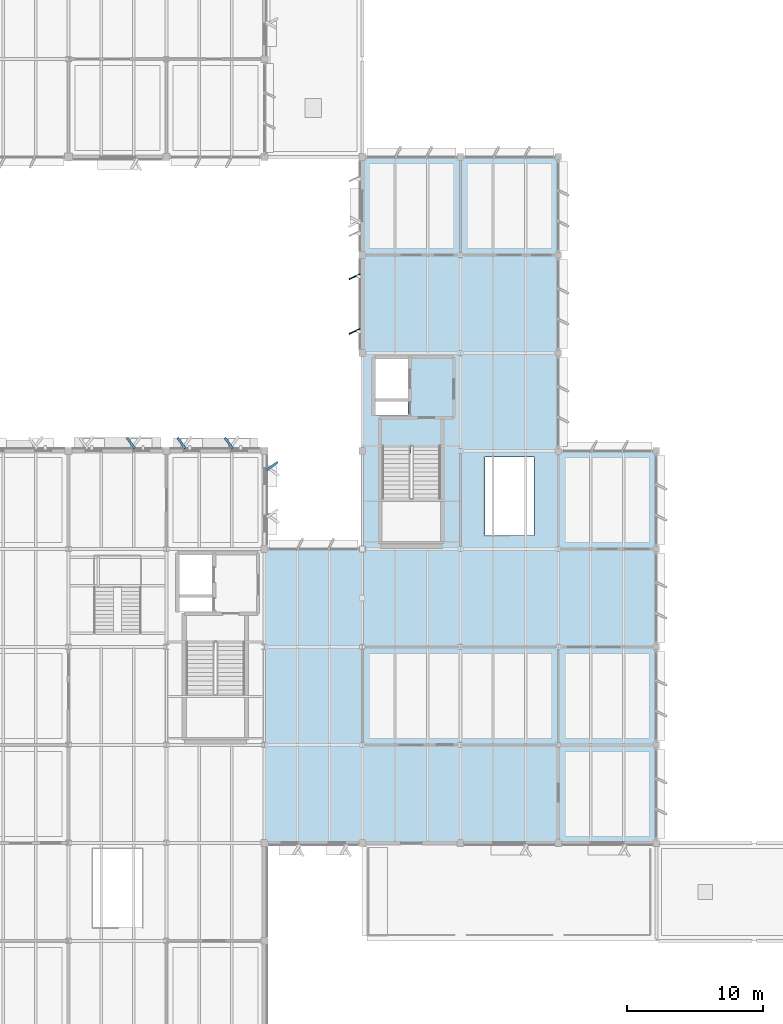
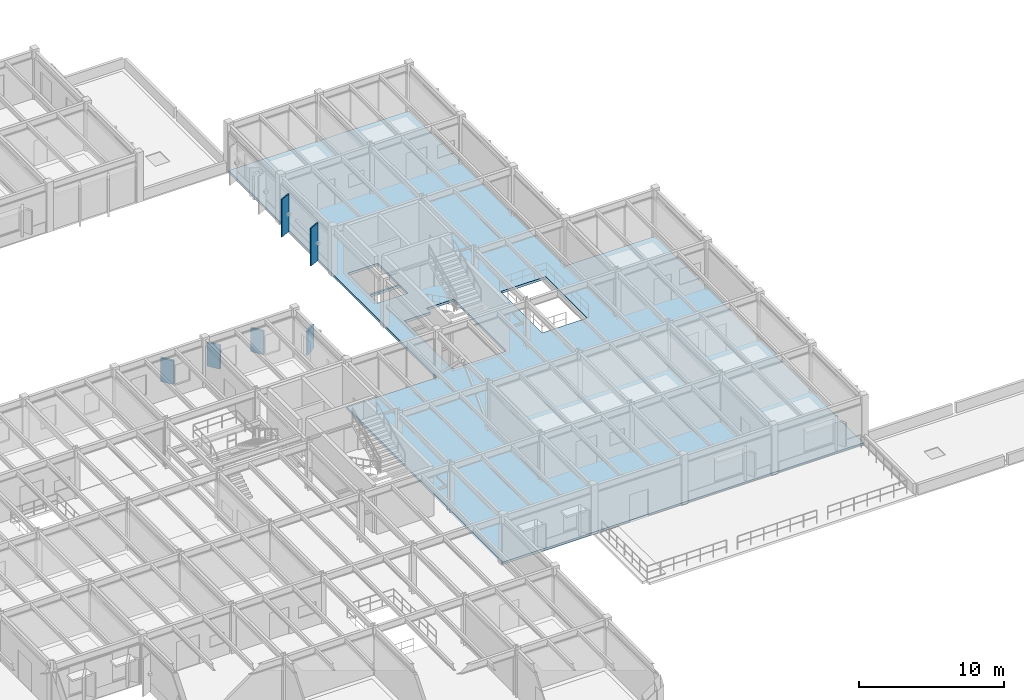
# One storey, part 26 of 85: 6 plates, 1 slab.
"""IFC4 building model written with IfcOpenShell, lengths in metres."""

from ifc_helpers import new_model, si_unit, direction, frame, origin, origin_2d, place, context, subcontext, project, spatial, polyline, rectangle, outline, extrude, material, layer, layer_set, type_object, element, save


model = new_model("IFC4")

# Units and contexts
model_context = context("Model", 3, precision=1e-05, world=origin(), true_north=direction((0.0, 1.0)))
body_context = subcontext(model_context, "Body", "Model", "MODEL_VIEW")
ifc_project = project(units=[si_unit("LENGTHUNIT", "METRE"), si_unit("AREAUNIT", "SQUARE_METRE"), si_unit("VOLUMEUNIT", "CUBIC_METRE"), si_unit("PLANEANGLEUNIT", "RADIAN"), si_unit("MASSUNIT", "GRAM", prefix="KILO")], contexts=[model_context])

# Site, building, storey
site_placement = place(None, origin())
site = spatial("IfcSite", under=ifc_project, at=site_placement, CompositionType="ELEMENT")
building_placement = place(site_placement, origin())
building = spatial("IfcBuilding", under=site, at=building_placement, Name="Sillqori Civic Hall", CompositionType="ELEMENT")
storey_placement = place(building_placement, frame((0.0, 0.0, 9.89990234375)))
storey = spatial("IfcBuildingStorey", under=building, at=storey_placement, Name="L03", CompositionType="ELEMENT", Elevation=9.89990234375)

# Plates
ifc_material_1 = material(Name="Precast concrete C40/50 (H40)", Category="concrete")
ifc_layer_1 = layer(ifc_material_1, 0.159912109375)
ifc_layer_set_1 = layer_set([ifc_layer_1], Name="Precast concrete C40/50 (H40)")
plate_type_1 = type_object("IfcPlateType", Name="FIN-WEST-350", PredefinedType="USERDEFINED", material=ifc_layer_set_1)
for number, where, z_axis, x_axis, name in (
    (1, (121.824951171875, 66.389892578125, 0.150146484375), (0.0, 0.0, 1.0), (-0.422618261741, 0.906307787037, 0.0), "L03 west brise-soleil fin L03-17-09-W.1"),
    (2, (121.824951171875, 70.409912109375, 0.150146484375), (0.0, 0.0, 1.0), (-0.422618261741, 0.906307787037, 0.0), "L03 west brise-soleil fin L03-17-09-W.2"),
):
    element("IfcPlate", number, at=place(storey_placement, frame(where, z_axis=z_axis, x_axis=x_axis)), inside=storey, type_object=plate_type_1, Name=name, ObjectType="SOLAR_FIN", PredefinedType="USERDEFINED", context=body_context, shape_type="SweptSolid", body=[
        extrude(rectangle(XDim=0.090087890625, YDim=0.8798828125, at=origin_2d()), origin(), (0.0, 0.0, 1.0), 3.18701171875),
    ])
ifc_layer_2 = layer(ifc_material_1, 0.159912109375)
ifc_layer_set_2 = layer_set([ifc_layer_2], Name="Precast concrete C40/50 (H40)")
plate_type_2 = type_object("IfcPlateType", Name="REV-SAW-200", PredefinedType="USERDEFINED", material=ifc_layer_set_2)
for number, where, z_axis, x_axis, name in (
    (3, (105.382080078125, 58.179931640625, 0.800048828125), (0.0, 0.0, 1.0), (0.809016994375, 0.587785252292, 0.0), "Sawtooth stone window reveal L03-14-07-N.2"),
    (4, (109.097900390625, 58.179931640625, 0.800048828125), (0.0, 0.0, 1.0), (0.809016994375, 0.587785252292, 0.0), "Sawtooth stone window reveal L03-15-07-N.1"),
    (5, (112.58203125, 58.179931640625, 0.800048828125), (0.0, 0.0, 1.0), (0.809016994375, 0.587785252292, 0.0), "Sawtooth stone window reveal L03-15-07-N.2"),
    (6, (115.780029296875, 56.501953125, 0.800048828125), (0.0, 0.0, 1.0), (0.587785252292, -0.809016994375, 0.0), "Sawtooth stone window reveal L03-15-07-E.1"),
):
    element("IfcPlate", number, at=place(storey_placement, frame(where, z_axis=z_axis, x_axis=x_axis)), inside=storey, type_object=plate_type_2, Name=name, ObjectType="REVEAL_PANEL", PredefinedType="USERDEFINED", context=body_context, shape_type="SweptSolid", body=[
        extrude(rectangle(XDim=0.159912109375, YDim=0.97998046875, at=origin_2d()), origin(), (0.0, 0.0, 1.0), 2.0),
    ])

# Slab
ifc_material_2 = material(Name="Concrete C30/37 (H30)", Category="concrete")
ifc_layer_3 = layer(ifc_material_2, 0.199951171875)
ifc_layer_set_3 = layer_set([ifc_layer_3], Name="Concrete C30/37 (H30)")
slab_type = type_object("IfcSlabType", Name="SLB-FLR-200", PredefinedType="FLOOR", material=ifc_layer_set_3)
slab_placement = place(storey_placement, frame((0.0, 0.0, -0.199951171875)))
element("IfcSlab", 7, at=slab_placement, inside=storey, type_object=slab_type, Name="L03 V3 composite floor slab 3.1", PredefinedType="FLOOR", context=body_context, shape_type="SweptSolid", body=[
    extrude(outline(polyline([(122.39990234375, 50.39990234375), (122.39990234375, 57.60009765625), (122.39990234375, 64.800048828125), (122.39990234375, 72.0), (122.39990234375, 79.199951171875), (129.60009765625, 79.199951171875), (136.800048828125, 79.199951171875), (136.800048828125, 72.0), (136.800048828125, 64.800048828125), (136.800048828125, 57.60009765625), (144.0, 57.60009765625), (144.0, 50.39990234375), (144.0, 43.199951171875), (144.0, 36.0), (144.0, 28.800048828125), (136.800048828125, 28.800048828125), (129.60009765625, 28.800048828125), (122.39990234375, 28.800048828125), (115.199951171875, 28.800048828125), (115.199951171875, 36.0), (115.199951171875, 43.199951171875), (115.199951171875, 50.39990234375), (122.39990234375, 50.39990234375)]), holes=[polyline([(135.0, 51.39990234375), (135.0, 57.14990234375), (131.39990234375, 57.14990234375), (131.39990234375, 51.39990234375), (135.0, 51.39990234375)]), polyline([(125.9599609375, 57.419921875), (123.860107421875, 57.419921875), (123.860107421875, 50.75), (128.139892578125, 50.75), (128.139892578125, 57.969970703125), (125.9599609375, 57.969970703125), (125.9599609375, 57.419921875)]), polyline([(125.75, 60.199951171875), (125.75, 61.300048828125), (123.35009765625, 61.300048828125), (123.35009765625, 60.199951171875), (125.75, 60.199951171875)]), polyline([(125.75, 61.449951171875), (125.75, 64.35009765625), (123.35009765625, 64.35009765625), (123.35009765625, 61.449951171875), (125.75, 61.449951171875)])]), origin(), (0.0, 0.0, 1.0), 0.199951171875),
])

save(model, "model.ifc")
